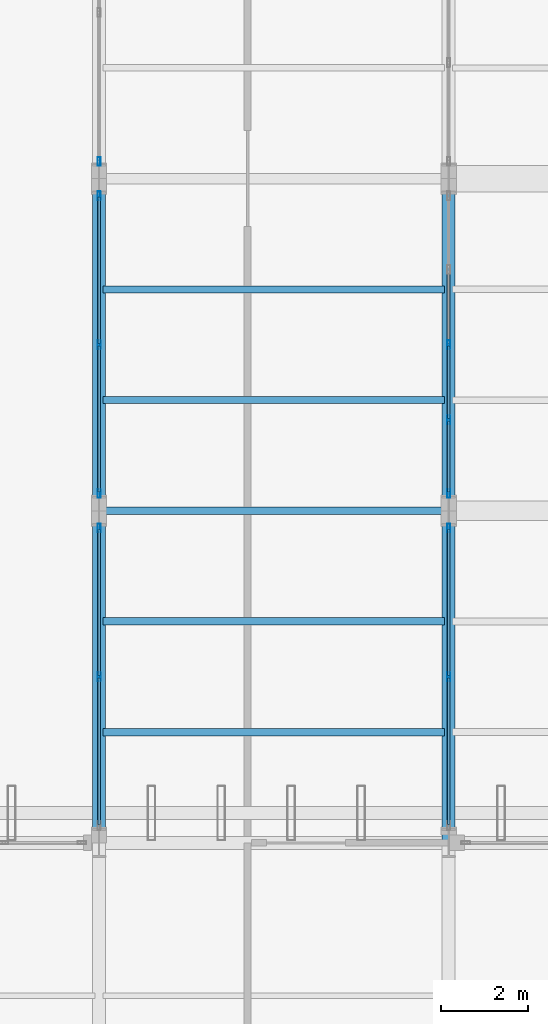
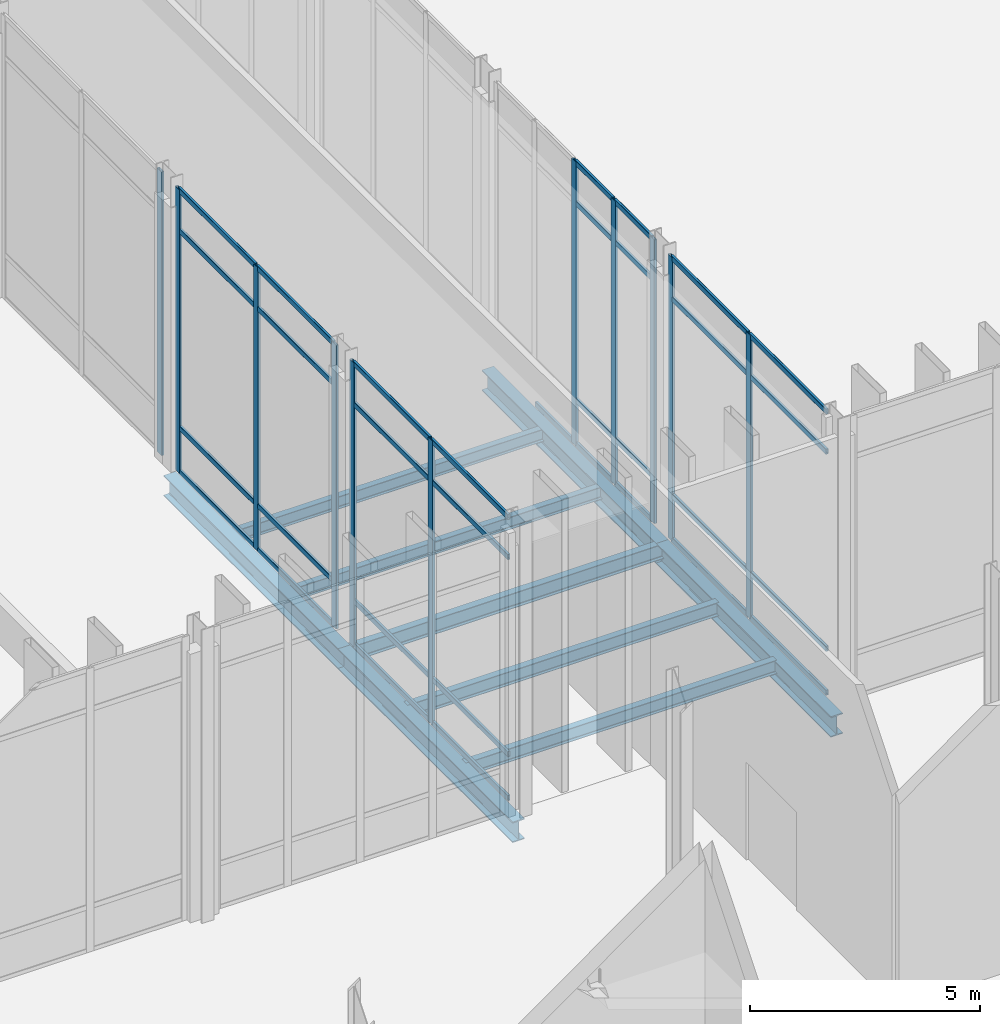
# One storey, part 70 of 176: 44 members, 9 beams, 5 elements without a shape of their own.
"""IFC4 building model written with IfcOpenShell, lengths in metres."""

from ifc_helpers import new_model, si_unit, direction, frame, origin, origin_2d, place, context, subcontext, project, spatial, hollow_rectangle, i_section, extrude, material, layer, layer_set, material_profile, profile_set, type_object, element, aggregate, save


model = new_model("IFC4")

# Units and contexts
model_context = context("Model", 3, precision=1e-05, world=origin(), true_north=direction((0.0, 1.0)))
body_context = subcontext(model_context, "Body", "Model", "MODEL_VIEW")
ifc_project = project(units=[si_unit("LENGTHUNIT", "METRE"), si_unit("AREAUNIT", "SQUARE_METRE"), si_unit("VOLUMEUNIT", "CUBIC_METRE"), si_unit("PLANEANGLEUNIT", "RADIAN"), si_unit("MASSUNIT", "GRAM", prefix="KILO")], contexts=[model_context])

# Site, building, storey
site_placement = place(None, origin())
site = spatial("IfcSite", under=ifc_project, at=site_placement, CompositionType="ELEMENT")
building_placement = place(site_placement, origin())
building = spatial("IfcBuilding", under=site, at=building_placement, Name="Vekula Escarpment Museum", CompositionType="ELEMENT")
storey_placement = place(building_placement, origin())
storey = spatial("IfcBuildingStorey", under=building, at=storey_placement, Name="L01", CompositionType="ELEMENT", Elevation=0.0)

# Beams
ifc_material_1 = material(Name="Steel S355", Category="steel")
ifc_material_profile_1 = material_profile(ifc_material_1, i_section(OverallWidth=0.300048828125, OverallDepth=0.550048828125, WebThickness=0.014892578125, FlangeThickness=0.029052734375, FilletRadius=0.027099609375, at=origin_2d()), Name="HEB 550")
ifc_profile_set_1 = profile_set([ifc_material_profile_1], Name="Steel S355")
beam_type_1 = type_object("IfcBeamType", Name="BM-GIRD-HEB550", PredefinedType="BEAM", material=ifc_profile_set_1)
for number, where, z_axis, x_axis, name in (
    (1, (94.0, 90.39990234375, -0.574951171875), (0.0, 1.0, 0.0), (-1.0, 0.0, 0.0), "Beam Y L01 0588"),
    (2, (94.0, 98.0, -0.574951171875), (0.0, 1.0, 0.0), (-1.0, 0.0, 0.0), "Beam Y L01 0589"),
    (3, (102.0, 90.39990234375, -0.574951171875), (0.0, 1.0, 0.0), (-1.0, 0.0, 0.0), "Beam Y L01 0606"),
    (4, (102.0, 98.0, -0.574951171875), (0.0, 1.0, 0.0), (-1.0, 0.0, 0.0), "Beam Y L01 0607"),
):
    element("IfcBeam", number, at=place(storey_placement, frame(where, z_axis=z_axis, x_axis=x_axis)), inside=storey, type_object=beam_type_1, Name=name, PredefinedType="BEAM", context=body_context, shape_type="SweptSolid", body=[
        extrude(i_section(OverallWidth=0.300048828125, OverallDepth=0.550048828125, WebThickness=0.014892578125, FlangeThickness=0.029052734375, FilletRadius=0.027099609375, at=origin_2d()), origin(), (0.0, 0.0, 1.0), 7.60009765625),
    ])
ifc_material_2 = material(Name="Steel S355", Category="steel")
ifc_material_profile_2 = material_profile(ifc_material_2, i_section(OverallWidth=0.179931640625, OverallDepth=0.39990234375, WebThickness=0.008544921875, FlangeThickness=0.013427734375, FilletRadius=0.02099609375, at=origin_2d()), Name="IPE 400")
ifc_profile_set_2 = profile_set([ifc_material_profile_2], Name="Steel S355")
beam_type_2 = type_object("IfcBeamType", Name="BM-GIRD-IPE400", PredefinedType="BEAM", material=ifc_profile_set_2)
beam_placement = place(storey_placement, frame((94.0, 98.0, -0.5), z_axis=(1.0, 0.0, 0.0), x_axis=(0.0, 1.0, 0.0)))
element("IfcBeam", 5, at=beam_placement, inside=storey, type_object=beam_type_2, Name="Beam X L01 0276", PredefinedType="BEAM", context=body_context, shape_type="SweptSolid", body=[
    extrude(i_section(OverallWidth=0.179931640625, OverallDepth=0.39990234375, WebThickness=0.008544921875, FlangeThickness=0.013427734375, FilletRadius=0.02099609375, at=origin_2d()), origin(), (0.0, 0.0, 1.0), 8.0),
])
ifc_material_3 = material(Name="Steel S355", Category="steel")
ifc_material_profile_3 = material_profile(ifc_material_3, i_section(OverallWidth=0.159912109375, OverallDepth=0.330078125, WebThickness=0.007568359375, FlangeThickness=0.011474609375, FilletRadius=0.01806640625, at=origin_2d()), Name="IPE 330")
ifc_profile_set_3 = profile_set([ifc_material_profile_3], Name="Steel S355")
beam_type_3 = type_object("IfcBeamType", Name="BM-JST-IPE330", PredefinedType="JOIST", material=ifc_profile_set_3)
for number, where, z_axis, x_axis, name in (
    (6, (94.090087890625, 100.533203125, -0.465087890625), (1.0, 0.0, 0.0), (0.0, 1.0, 0.0), "Secondary Joist L01 0310"),
    (7, (94.090087890625, 103.066650390625, -0.465087890625), (1.0, 0.0, 0.0), (0.0, 1.0, 0.0), "Secondary Joist L01 0311"),
):
    element("IfcBeam", number, at=place(storey_placement, frame(where, z_axis=z_axis, x_axis=x_axis)), inside=storey, type_object=beam_type_3, Name=name, PredefinedType="JOIST", context=body_context, shape_type="SweptSolid", body=[
        extrude(i_section(OverallWidth=0.159912109375, OverallDepth=0.330078125, WebThickness=0.007568359375, FlangeThickness=0.011474609375, FilletRadius=0.01806640625, at=origin_2d()), origin(), (0.0, 0.0, 1.0), 7.81982421875),
    ])
ifc_material_4 = material(Name="Steel S355", Category="steel")
ifc_material_profile_4 = material_profile(ifc_material_4, i_section(OverallWidth=0.169921875, OverallDepth=0.360107421875, WebThickness=0.008056640625, FlangeThickness=0.0126953125, FilletRadius=0.01806640625, at=origin_2d()), Name="IPE 360")
ifc_profile_set_4 = profile_set([ifc_material_profile_4], Name="Steel S355")
beam_type_4 = type_object("IfcBeamType", Name="BM-JST-IPE360", PredefinedType="JOIST", material=ifc_profile_set_4)
for number, where, z_axis, x_axis, name in (
    (8, (94.090087890625, 92.933349609375, -0.47998046875), (1.0, 0.0, 0.0), (0.0, 1.0, 0.0), "Secondary Joist L01 0308"),
    (9, (94.090087890625, 95.466796875, -0.47998046875), (1.0, 0.0, 0.0), (0.0, 1.0, 0.0), "Secondary Joist L01 0309"),
):
    element("IfcBeam", number, at=place(storey_placement, frame(where, z_axis=z_axis, x_axis=x_axis)), inside=storey, type_object=beam_type_4, Name=name, PredefinedType="JOIST", context=body_context, shape_type="SweptSolid", body=[
        extrude(i_section(OverallWidth=0.169921875, OverallDepth=0.360107421875, WebThickness=0.008056640625, FlangeThickness=0.0126953125, FilletRadius=0.01806640625, at=origin_2d()), origin(), (0.0, 0.0, 1.0), 7.81982421875),
    ])

# Curtain wall, members
ifc_material_5 = material(Name="Aluminium thermally broken framing", Category="aluminium")
ifc_layer_1 = layer(ifc_material_5, 0.179931640625)
ifc_layer_set_1 = layer_set([ifc_layer_1], Name="Aluminium thermally broken framing")
curtain_wall_type_1 = type_object("IfcCurtainWallType", Name="CW-SYS-08", PredefinedType="NOTDEFINED", material=ifc_layer_set_1)
curtain_wall_1_placement = place(storey_placement, origin())
curtain_wall_1 = element("IfcCurtainWall", 10, at=curtain_wall_1_placement, inside=storey, type_object=curtain_wall_type_1, Name="Curtain Wall CW-L01-028", PredefinedType="NOTDEFINED")
ifc_material_6 = material(Name="Aluminium anodized mullion", Category="aluminium")
ifc_material_profile_5 = material_profile(ifc_material_6, hollow_rectangle(XDim=0.06494140625, YDim=0.199951171875, WallThickness=0.00390625, InnerFilletRadius=0.00390625, OuterFilletRadius=0.008056640625, at=origin_2d()), Name="ALU 200x65x4")
ifc_profile_set_5 = profile_set([ifc_material_profile_5], Name="Aluminium anodized mullion")
member_type_1 = type_object("IfcMemberType", Name="CW-MUL-200", PredefinedType="MULLION", material=ifc_profile_set_5)
member_1_placement = place(storey_placement, frame((102.0, 94.199951171875, 0.0), z_axis=(0.0, 0.0, 1.0), x_axis=(-1.0, 0.0, 0.0)))
member_1 = element("IfcMember", 11, at=member_1_placement, type_object=member_type_1, Name="CW-08 mullion 2", PredefinedType="MULLION", context=body_context, shape_type="SweptSolid", body=[
    extrude(hollow_rectangle(XDim=0.06494140625, YDim=0.199951171875, WallThickness=0.00390625, InnerFilletRadius=0.00390625, OuterFilletRadius=0.008056640625, at=origin_2d()), origin(), (0.0, 0.0, 1.0), 7.5400390625),
])
member_2_placement = place(storey_placement, frame((102.0, 97.607421875, 0.0), z_axis=(0.0, 0.0, 1.0), x_axis=(-1.0, 0.0, 0.0)))
member_2 = element("IfcMember", 12, at=member_2_placement, type_object=member_type_1, Name="CW-08 mullion 3", PredefinedType="MULLION", context=body_context, shape_type="SweptSolid", body=[
    extrude(hollow_rectangle(XDim=0.06494140625, YDim=0.199951171875, WallThickness=0.00390625, InnerFilletRadius=0.00390625, OuterFilletRadius=0.008056640625, at=origin_2d()), origin(), (0.0, 0.0, 1.0), 7.5400390625),
])

ifc_material_7 = material(Name="Aluminium thermally broken framing", Category="aluminium")
ifc_layer_2 = layer(ifc_material_7, 0.14990234375)
ifc_layer_set_2 = layer_set([ifc_layer_2], Name="Aluminium thermally broken framing")
curtain_wall_type_2 = type_object("IfcCurtainWallType", Name="CW-SYS-09", PredefinedType="NOTDEFINED", material=ifc_layer_set_2)
curtain_wall_2_placement = place(storey_placement, origin())
curtain_wall_2 = element("IfcCurtainWall", 13, at=curtain_wall_2_placement, inside=storey, type_object=curtain_wall_type_2, Name="Curtain Wall CW-L01-029", PredefinedType="NOTDEFINED")
member_3_placement = place(storey_placement, frame((102.0, 98.392578125, 0.0), z_axis=(0.0, 0.0, 1.0), x_axis=(-1.0, 0.0, 0.0)))
member_3 = element("IfcMember", 14, at=member_3_placement, type_object=member_type_1, Name="CW-09 mullion 1", PredefinedType="MULLION", context=body_context, shape_type="SweptSolid", body=[
    extrude(hollow_rectangle(XDim=0.06494140625, YDim=0.199951171875, WallThickness=0.00390625, InnerFilletRadius=0.00390625, OuterFilletRadius=0.008056640625, at=origin_2d()), origin(), (0.0, 0.0, 1.0), 7.5400390625),
])
member_4_placement = place(storey_placement, frame((102.0, 100.080078125, 0.0), z_axis=(0.0, 0.0, 1.0), x_axis=(-1.0, 0.0, 0.0)))
member_4 = element("IfcMember", 15, at=member_4_placement, type_object=member_type_1, Name="CW-09 mullion 2", PredefinedType="MULLION", context=body_context, shape_type="SweptSolid", body=[
    extrude(hollow_rectangle(XDim=0.06494140625, YDim=0.199951171875, WallThickness=0.00390625, InnerFilletRadius=0.00390625, OuterFilletRadius=0.008056640625, at=origin_2d()), origin(), (0.0, 0.0, 1.0), 7.5400390625),
])
member_5_placement = place(storey_placement, frame((102.0, 101.800048828125, 0.0), z_axis=(0.0, 0.0, 1.0), x_axis=(-1.0, 0.0, 0.0)))
member_5 = element("IfcMember", 16, at=member_5_placement, type_object=member_type_1, Name="CW-09 mullion 3", PredefinedType="MULLION", context=body_context, shape_type="SweptSolid", body=[
    extrude(hollow_rectangle(XDim=0.06494140625, YDim=0.199951171875, WallThickness=0.00390625, InnerFilletRadius=0.00390625, OuterFilletRadius=0.008056640625, at=origin_2d()), origin(), (0.0, 0.0, 1.0), 7.5400390625),
])

# Curtain wall, member
ifc_material_8 = material(Name="Aluminium thermally broken framing", Category="aluminium")
ifc_layer_3 = layer(ifc_material_8, 0.139892578125)
ifc_layer_set_3 = layer_set([ifc_layer_3], Name="Aluminium thermally broken framing")
curtain_wall_type_3 = type_object("IfcCurtainWallType", Name="CW-SYS-06", PredefinedType="NOTDEFINED", material=ifc_layer_set_3)
curtain_wall_3_placement = place(storey_placement, origin())
curtain_wall_3 = element("IfcCurtainWall", 17, at=curtain_wall_3_placement, inside=storey, type_object=curtain_wall_type_3, Name="Curtain Wall CW-L01-036", PredefinedType="NOTDEFINED")
member_6_placement = place(storey_placement, frame((94.0, 105.992431640625, 0.0), z_axis=(0.0, 0.0, 1.0), x_axis=(1.0, 0.0, 0.0)))
member_6 = element("IfcMember", 18, at=member_6_placement, type_object=member_type_1, Name="CW-06 mullion 3", PredefinedType="MULLION", context=body_context, shape_type="SweptSolid", body=[
    extrude(hollow_rectangle(XDim=0.06494140625, YDim=0.199951171875, WallThickness=0.00390625, InnerFilletRadius=0.00390625, OuterFilletRadius=0.008056640625, at=origin_2d()), origin(), (0.0, 0.0, 1.0), 7.5400390625),
])
aggregate(curtain_wall_3, [member_6])

# Curtain wall, members
ifc_material_9 = material(Name="Aluminium thermally broken framing", Category="aluminium")
ifc_layer_4 = layer(ifc_material_9, 0.179931640625)
ifc_layer_set_4 = layer_set([ifc_layer_4], Name="Aluminium thermally broken framing")
curtain_wall_type_4 = type_object("IfcCurtainWallType", Name="CW-SYS-07", PredefinedType="NOTDEFINED", material=ifc_layer_set_4)
curtain_wall_4_placement = place(storey_placement, origin())
curtain_wall_4 = element("IfcCurtainWall", 19, at=curtain_wall_4_placement, inside=storey, type_object=curtain_wall_type_4, Name="Curtain Wall CW-L01-037", PredefinedType="NOTDEFINED")
member_7_placement = place(storey_placement, frame((94.0, 105.20751953125, 0.0), z_axis=(0.0, 0.0, 1.0), x_axis=(1.0, 0.0, 0.0)))
member_7 = element("IfcMember", 20, at=member_7_placement, type_object=member_type_1, Name="CW-07 mullion 1", PredefinedType="MULLION", context=body_context, shape_type="SweptSolid", body=[
    extrude(hollow_rectangle(XDim=0.06494140625, YDim=0.199951171875, WallThickness=0.00390625, InnerFilletRadius=0.00390625, OuterFilletRadius=0.008056640625, at=origin_2d()), origin(), (0.0, 0.0, 1.0), 7.5400390625),
])
member_8_placement = place(storey_placement, frame((94.0, 101.800048828125, 0.0), z_axis=(0.0, 0.0, 1.0), x_axis=(1.0, 0.0, 0.0)))
member_8 = element("IfcMember", 21, at=member_8_placement, type_object=member_type_1, Name="CW-07 mullion 2", PredefinedType="MULLION", context=body_context, shape_type="SweptSolid", body=[
    extrude(hollow_rectangle(XDim=0.06494140625, YDim=0.199951171875, WallThickness=0.00390625, InnerFilletRadius=0.00390625, OuterFilletRadius=0.008056640625, at=origin_2d()), origin(), (0.0, 0.0, 1.0), 7.5400390625),
])
member_9_placement = place(storey_placement, frame((94.0, 98.392578125, 0.0), z_axis=(0.0, 0.0, 1.0), x_axis=(1.0, 0.0, 0.0)))
member_9 = element("IfcMember", 22, at=member_9_placement, type_object=member_type_1, Name="CW-07 mullion 3", PredefinedType="MULLION", context=body_context, shape_type="SweptSolid", body=[
    extrude(hollow_rectangle(XDim=0.06494140625, YDim=0.199951171875, WallThickness=0.00390625, InnerFilletRadius=0.00390625, OuterFilletRadius=0.008056640625, at=origin_2d()), origin(), (0.0, 0.0, 1.0), 7.5400390625),
])

curtain_wall_5_placement = place(storey_placement, origin())
curtain_wall_5 = element("IfcCurtainWall", 23, at=curtain_wall_5_placement, inside=storey, type_object=curtain_wall_type_1, Name="Curtain Wall CW-L01-038", PredefinedType="NOTDEFINED")
member_10_placement = place(storey_placement, frame((94.0, 97.607421875, 0.0), z_axis=(0.0, 0.0, 1.0), x_axis=(1.0, 0.0, 0.0)))
member_10 = element("IfcMember", 24, at=member_10_placement, type_object=member_type_1, Name="CW-08 mullion 1", PredefinedType="MULLION", context=body_context, shape_type="SweptSolid", body=[
    extrude(hollow_rectangle(XDim=0.06494140625, YDim=0.199951171875, WallThickness=0.00390625, InnerFilletRadius=0.00390625, OuterFilletRadius=0.008056640625, at=origin_2d()), origin(), (0.0, 0.0, 1.0), 7.5400390625),
])
member_11_placement = place(storey_placement, frame((94.0, 94.199951171875, 0.0), z_axis=(0.0, 0.0, 1.0), x_axis=(1.0, 0.0, 0.0)))
member_11 = element("IfcMember", 25, at=member_11_placement, type_object=member_type_1, Name="CW-08 mullion 2", PredefinedType="MULLION", context=body_context, shape_type="SweptSolid", body=[
    extrude(hollow_rectangle(XDim=0.06494140625, YDim=0.199951171875, WallThickness=0.00390625, InnerFilletRadius=0.00390625, OuterFilletRadius=0.008056640625, at=origin_2d()), origin(), (0.0, 0.0, 1.0), 7.5400390625),
])

# Member
ifc_material_10 = material(Name="Aluminium anodized transom", Category="aluminium")
ifc_material_profile_6 = material_profile(ifc_material_10, hollow_rectangle(XDim=0.06494140625, YDim=0.139892578125, WallThickness=0.00390625, InnerFilletRadius=0.00390625, OuterFilletRadius=0.008056640625, at=origin_2d()), Name="ALU 140x65x4")
ifc_profile_set_6 = profile_set([ifc_material_profile_6], Name="Aluminium anodized transom")
member_type_2 = type_object("IfcMemberType", Name="CW-TRN-140", PredefinedType="USERDEFINED", material=ifc_profile_set_6)
member_12_placement = place(storey_placement, frame((102.0, 90.824951171875, 0.032470703125), z_axis=(0.0, 1.0, 0.0), x_axis=(-1.0, 0.0, 0.0)))
member_12 = element("IfcMember", 26, at=member_12_placement, type_object=member_type_2, Name="CW-08 transom 1.1", ObjectType="TRANSOM", PredefinedType="USERDEFINED", context=body_context, shape_type="SweptSolid", body=[
    extrude(hollow_rectangle(XDim=0.06494140625, YDim=0.139892578125, WallThickness=0.00390625, InnerFilletRadius=0.00390625, OuterFilletRadius=0.008056640625, at=origin_2d()), origin(), (0.0, 0.0, 1.0), 3.342529296875),
])

member_13_placement = place(storey_placement, frame((102.0, 90.824951171875, 1.199951171875), z_axis=(0.0, 1.0, 0.0), x_axis=(-1.0, 0.0, 0.0)))
member_13 = element("IfcMember", 27, at=member_13_placement, type_object=member_type_2, Name="CW-08 transom 1.2", ObjectType="TRANSOM", PredefinedType="USERDEFINED", context=body_context, shape_type="SweptSolid", body=[
    extrude(hollow_rectangle(XDim=0.06494140625, YDim=0.139892578125, WallThickness=0.00390625, InnerFilletRadius=0.00390625, OuterFilletRadius=0.008056640625, at=origin_2d()), origin(), (0.0, 0.0, 1.0), 3.342529296875),
])

member_14_placement = place(storey_placement, frame((102.0, 90.824951171875, 6.43994140625), z_axis=(0.0, 1.0, 0.0), x_axis=(-1.0, 0.0, 0.0)))
member_14 = element("IfcMember", 28, at=member_14_placement, type_object=member_type_2, Name="CW-08 transom 1.3", ObjectType="TRANSOM", PredefinedType="USERDEFINED", context=body_context, shape_type="SweptSolid", body=[
    extrude(hollow_rectangle(XDim=0.06494140625, YDim=0.139892578125, WallThickness=0.00390625, InnerFilletRadius=0.00390625, OuterFilletRadius=0.008056640625, at=origin_2d()), origin(), (0.0, 0.0, 1.0), 3.342529296875),
])

member_15_placement = place(storey_placement, frame((102.0, 90.824951171875, 7.507568359375), z_axis=(0.0, 1.0, 0.0), x_axis=(-1.0, 0.0, 0.0)))
member_15 = element("IfcMember", 29, at=member_15_placement, type_object=member_type_2, Name="CW-08 transom 1.4", ObjectType="TRANSOM", PredefinedType="USERDEFINED", context=body_context, shape_type="SweptSolid", body=[
    extrude(hollow_rectangle(XDim=0.06494140625, YDim=0.139892578125, WallThickness=0.00390625, InnerFilletRadius=0.00390625, OuterFilletRadius=0.008056640625, at=origin_2d()), origin(), (0.0, 0.0, 1.0), 3.342529296875),
])

member_16_placement = place(storey_placement, frame((102.0, 94.232421875, 0.032470703125), z_axis=(0.0, 1.0, 0.0), x_axis=(-1.0, 0.0, 0.0)))
member_16 = element("IfcMember", 30, at=member_16_placement, type_object=member_type_2, Name="CW-08 transom 2.1", ObjectType="TRANSOM", PredefinedType="USERDEFINED", context=body_context, shape_type="SweptSolid", body=[
    extrude(hollow_rectangle(XDim=0.06494140625, YDim=0.139892578125, WallThickness=0.00390625, InnerFilletRadius=0.00390625, OuterFilletRadius=0.008056640625, at=origin_2d()), origin(), (0.0, 0.0, 1.0), 3.342529296875),
])

member_17_placement = place(storey_placement, frame((102.0, 94.232421875, 1.199951171875), z_axis=(0.0, 1.0, 0.0), x_axis=(-1.0, 0.0, 0.0)))
member_17 = element("IfcMember", 31, at=member_17_placement, type_object=member_type_2, Name="CW-08 transom 2.2", ObjectType="TRANSOM", PredefinedType="USERDEFINED", context=body_context, shape_type="SweptSolid", body=[
    extrude(hollow_rectangle(XDim=0.06494140625, YDim=0.139892578125, WallThickness=0.00390625, InnerFilletRadius=0.00390625, OuterFilletRadius=0.008056640625, at=origin_2d()), origin(), (0.0, 0.0, 1.0), 3.342529296875),
])

member_18_placement = place(storey_placement, frame((102.0, 94.232421875, 6.43994140625), z_axis=(0.0, 1.0, 0.0), x_axis=(-1.0, 0.0, 0.0)))
member_18 = element("IfcMember", 32, at=member_18_placement, type_object=member_type_2, Name="CW-08 transom 2.3", ObjectType="TRANSOM", PredefinedType="USERDEFINED", context=body_context, shape_type="SweptSolid", body=[
    extrude(hollow_rectangle(XDim=0.06494140625, YDim=0.139892578125, WallThickness=0.00390625, InnerFilletRadius=0.00390625, OuterFilletRadius=0.008056640625, at=origin_2d()), origin(), (0.0, 0.0, 1.0), 3.342529296875),
])

member_19_placement = place(storey_placement, frame((102.0, 94.232421875, 7.507568359375), z_axis=(0.0, 1.0, 0.0), x_axis=(-1.0, 0.0, 0.0)))
member_19 = element("IfcMember", 33, at=member_19_placement, type_object=member_type_2, Name="CW-08 transom 2.4", ObjectType="TRANSOM", PredefinedType="USERDEFINED", context=body_context, shape_type="SweptSolid", body=[
    extrude(hollow_rectangle(XDim=0.06494140625, YDim=0.139892578125, WallThickness=0.00390625, InnerFilletRadius=0.00390625, OuterFilletRadius=0.008056640625, at=origin_2d()), origin(), (0.0, 0.0, 1.0), 3.342529296875),
])

aggregate(curtain_wall_1, [member_1, member_2, member_12, member_13, member_14, member_15, member_16, member_17, member_18, member_19])

member_20_placement = place(storey_placement, frame((102.0, 98.425048828125, 0.032470703125), z_axis=(0.0, 1.0, 0.0), x_axis=(-1.0, 0.0, 0.0)))
member_20 = element("IfcMember", 34, at=member_20_placement, type_object=member_type_2, Name="CW-09 transom 1.1", ObjectType="TRANSOM", PredefinedType="USERDEFINED", context=body_context, shape_type="SweptSolid", body=[
    extrude(hollow_rectangle(XDim=0.06494140625, YDim=0.139892578125, WallThickness=0.00390625, InnerFilletRadius=0.00390625, OuterFilletRadius=0.008056640625, at=origin_2d()), origin(), (0.0, 0.0, 1.0), 1.62255859375),
])

member_21_placement = place(storey_placement, frame((102.0, 98.425048828125, 1.199951171875), z_axis=(0.0, 1.0, 0.0), x_axis=(-1.0, 0.0, 0.0)))
member_21 = element("IfcMember", 35, at=member_21_placement, type_object=member_type_2, Name="CW-09 transom 1.2", ObjectType="TRANSOM", PredefinedType="USERDEFINED", context=body_context, shape_type="SweptSolid", body=[
    extrude(hollow_rectangle(XDim=0.06494140625, YDim=0.139892578125, WallThickness=0.00390625, InnerFilletRadius=0.00390625, OuterFilletRadius=0.008056640625, at=origin_2d()), origin(), (0.0, 0.0, 1.0), 1.62255859375),
])

member_22_placement = place(storey_placement, frame((102.0, 98.425048828125, 6.43994140625), z_axis=(0.0, 1.0, 0.0), x_axis=(-1.0, 0.0, 0.0)))
member_22 = element("IfcMember", 36, at=member_22_placement, type_object=member_type_2, Name="CW-09 transom 1.3", ObjectType="TRANSOM", PredefinedType="USERDEFINED", context=body_context, shape_type="SweptSolid", body=[
    extrude(hollow_rectangle(XDim=0.06494140625, YDim=0.139892578125, WallThickness=0.00390625, InnerFilletRadius=0.00390625, OuterFilletRadius=0.008056640625, at=origin_2d()), origin(), (0.0, 0.0, 1.0), 1.62255859375),
])

member_23_placement = place(storey_placement, frame((102.0, 98.425048828125, 7.507568359375), z_axis=(0.0, 1.0, 0.0), x_axis=(-1.0, 0.0, 0.0)))
member_23 = element("IfcMember", 37, at=member_23_placement, type_object=member_type_2, Name="CW-09 transom 1.4", ObjectType="TRANSOM", PredefinedType="USERDEFINED", context=body_context, shape_type="SweptSolid", body=[
    extrude(hollow_rectangle(XDim=0.06494140625, YDim=0.139892578125, WallThickness=0.00390625, InnerFilletRadius=0.00390625, OuterFilletRadius=0.008056640625, at=origin_2d()), origin(), (0.0, 0.0, 1.0), 1.62255859375),
])

member_24_placement = place(storey_placement, frame((102.0, 100.112548828125, 0.032470703125), z_axis=(0.0, 1.0, 0.0), x_axis=(-1.0, 0.0, 0.0)))
member_24 = element("IfcMember", 38, at=member_24_placement, type_object=member_type_2, Name="CW-09 transom 2.1", ObjectType="TRANSOM", PredefinedType="USERDEFINED", context=body_context, shape_type="SweptSolid", body=[
    extrude(hollow_rectangle(XDim=0.06494140625, YDim=0.139892578125, WallThickness=0.00390625, InnerFilletRadius=0.00390625, OuterFilletRadius=0.008056640625, at=origin_2d()), origin(), (0.0, 0.0, 1.0), 1.655029296875),
])

member_25_placement = place(storey_placement, frame((102.0, 100.112548828125, 1.199951171875), z_axis=(0.0, 1.0, 0.0), x_axis=(-1.0, 0.0, 0.0)))
member_25 = element("IfcMember", 39, at=member_25_placement, type_object=member_type_2, Name="CW-09 transom 2.2", ObjectType="TRANSOM", PredefinedType="USERDEFINED", context=body_context, shape_type="SweptSolid", body=[
    extrude(hollow_rectangle(XDim=0.06494140625, YDim=0.139892578125, WallThickness=0.00390625, InnerFilletRadius=0.00390625, OuterFilletRadius=0.008056640625, at=origin_2d()), origin(), (0.0, 0.0, 1.0), 1.655029296875),
])

member_26_placement = place(storey_placement, frame((102.0, 100.112548828125, 6.43994140625), z_axis=(0.0, 1.0, 0.0), x_axis=(-1.0, 0.0, 0.0)))
member_26 = element("IfcMember", 40, at=member_26_placement, type_object=member_type_2, Name="CW-09 transom 2.3", ObjectType="TRANSOM", PredefinedType="USERDEFINED", context=body_context, shape_type="SweptSolid", body=[
    extrude(hollow_rectangle(XDim=0.06494140625, YDim=0.139892578125, WallThickness=0.00390625, InnerFilletRadius=0.00390625, OuterFilletRadius=0.008056640625, at=origin_2d()), origin(), (0.0, 0.0, 1.0), 1.655029296875),
])

member_27_placement = place(storey_placement, frame((102.0, 100.112548828125, 7.507568359375), z_axis=(0.0, 1.0, 0.0), x_axis=(-1.0, 0.0, 0.0)))
member_27 = element("IfcMember", 41, at=member_27_placement, type_object=member_type_2, Name="CW-09 transom 2.4", ObjectType="TRANSOM", PredefinedType="USERDEFINED", context=body_context, shape_type="SweptSolid", body=[
    extrude(hollow_rectangle(XDim=0.06494140625, YDim=0.139892578125, WallThickness=0.00390625, InnerFilletRadius=0.00390625, OuterFilletRadius=0.008056640625, at=origin_2d()), origin(), (0.0, 0.0, 1.0), 1.655029296875),
])

member_28_placement = place(storey_placement, frame((102.0, 101.83251953125, 0.032470703125), z_axis=(0.0, 1.0, 0.0), x_axis=(-1.0, 0.0, 0.0)))
member_28 = element("IfcMember", 42, at=member_28_placement, type_object=member_type_2, Name="CW-09 transom 3.1", ObjectType="TRANSOM", PredefinedType="USERDEFINED", context=body_context, shape_type="SweptSolid", body=[
    extrude(hollow_rectangle(XDim=0.06494140625, YDim=0.139892578125, WallThickness=0.00390625, InnerFilletRadius=0.00390625, OuterFilletRadius=0.008056640625, at=origin_2d()), origin(), (0.0, 0.0, 1.0), 1.655029296875),
])

aggregate(curtain_wall_2, [member_3, member_4, member_5, member_20, member_21, member_22, member_23, member_24, member_25, member_26, member_27, member_28])

member_29_placement = place(storey_placement, frame((94.0, 105.175048828125, 0.032470703125), z_axis=(0.0, -1.0, 0.0), x_axis=(1.0, 0.0, 0.0)))
member_29 = element("IfcMember", 43, at=member_29_placement, type_object=member_type_2, Name="CW-07 transom 1.1", ObjectType="TRANSOM", PredefinedType="USERDEFINED", context=body_context, shape_type="SweptSolid", body=[
    extrude(hollow_rectangle(XDim=0.06494140625, YDim=0.139892578125, WallThickness=0.00390625, InnerFilletRadius=0.00390625, OuterFilletRadius=0.008056640625, at=origin_2d()), origin(), (0.0, 0.0, 1.0), 3.342529296875),
])

member_30_placement = place(storey_placement, frame((94.0, 105.175048828125, 1.199951171875), z_axis=(0.0, -1.0, 0.0), x_axis=(1.0, 0.0, 0.0)))
member_30 = element("IfcMember", 44, at=member_30_placement, type_object=member_type_2, Name="CW-07 transom 1.2", ObjectType="TRANSOM", PredefinedType="USERDEFINED", context=body_context, shape_type="SweptSolid", body=[
    extrude(hollow_rectangle(XDim=0.06494140625, YDim=0.139892578125, WallThickness=0.00390625, InnerFilletRadius=0.00390625, OuterFilletRadius=0.008056640625, at=origin_2d()), origin(), (0.0, 0.0, 1.0), 3.342529296875),
])

member_31_placement = place(storey_placement, frame((94.0, 105.175048828125, 6.43994140625), z_axis=(0.0, -1.0, 0.0), x_axis=(1.0, 0.0, 0.0)))
member_31 = element("IfcMember", 45, at=member_31_placement, type_object=member_type_2, Name="CW-07 transom 1.3", ObjectType="TRANSOM", PredefinedType="USERDEFINED", context=body_context, shape_type="SweptSolid", body=[
    extrude(hollow_rectangle(XDim=0.06494140625, YDim=0.139892578125, WallThickness=0.00390625, InnerFilletRadius=0.00390625, OuterFilletRadius=0.008056640625, at=origin_2d()), origin(), (0.0, 0.0, 1.0), 3.342529296875),
])

member_32_placement = place(storey_placement, frame((94.0, 105.175048828125, 7.507568359375), z_axis=(0.0, -1.0, 0.0), x_axis=(1.0, 0.0, 0.0)))
member_32 = element("IfcMember", 46, at=member_32_placement, type_object=member_type_2, Name="CW-07 transom 1.4", ObjectType="TRANSOM", PredefinedType="USERDEFINED", context=body_context, shape_type="SweptSolid", body=[
    extrude(hollow_rectangle(XDim=0.06494140625, YDim=0.139892578125, WallThickness=0.00390625, InnerFilletRadius=0.00390625, OuterFilletRadius=0.008056640625, at=origin_2d()), origin(), (0.0, 0.0, 1.0), 3.342529296875),
])

member_33_placement = place(storey_placement, frame((94.0, 101.767578125, 0.032470703125), z_axis=(0.0, -1.0, 0.0), x_axis=(1.0, 0.0, 0.0)))
member_33 = element("IfcMember", 47, at=member_33_placement, type_object=member_type_2, Name="CW-07 transom 2.1", ObjectType="TRANSOM", PredefinedType="USERDEFINED", context=body_context, shape_type="SweptSolid", body=[
    extrude(hollow_rectangle(XDim=0.06494140625, YDim=0.139892578125, WallThickness=0.00390625, InnerFilletRadius=0.00390625, OuterFilletRadius=0.008056640625, at=origin_2d()), origin(), (0.0, 0.0, 1.0), 3.342529296875),
])

member_34_placement = place(storey_placement, frame((94.0, 101.767578125, 1.199951171875), z_axis=(0.0, -1.0, 0.0), x_axis=(1.0, 0.0, 0.0)))
member_34 = element("IfcMember", 48, at=member_34_placement, type_object=member_type_2, Name="CW-07 transom 2.2", ObjectType="TRANSOM", PredefinedType="USERDEFINED", context=body_context, shape_type="SweptSolid", body=[
    extrude(hollow_rectangle(XDim=0.06494140625, YDim=0.139892578125, WallThickness=0.00390625, InnerFilletRadius=0.00390625, OuterFilletRadius=0.008056640625, at=origin_2d()), origin(), (0.0, 0.0, 1.0), 3.342529296875),
])

member_35_placement = place(storey_placement, frame((94.0, 101.767578125, 6.43994140625), z_axis=(0.0, -1.0, 0.0), x_axis=(1.0, 0.0, 0.0)))
member_35 = element("IfcMember", 49, at=member_35_placement, type_object=member_type_2, Name="CW-07 transom 2.3", ObjectType="TRANSOM", PredefinedType="USERDEFINED", context=body_context, shape_type="SweptSolid", body=[
    extrude(hollow_rectangle(XDim=0.06494140625, YDim=0.139892578125, WallThickness=0.00390625, InnerFilletRadius=0.00390625, OuterFilletRadius=0.008056640625, at=origin_2d()), origin(), (0.0, 0.0, 1.0), 3.342529296875),
])

member_36_placement = place(storey_placement, frame((94.0, 101.767578125, 7.507568359375), z_axis=(0.0, -1.0, 0.0), x_axis=(1.0, 0.0, 0.0)))
member_36 = element("IfcMember", 50, at=member_36_placement, type_object=member_type_2, Name="CW-07 transom 2.4", ObjectType="TRANSOM", PredefinedType="USERDEFINED", context=body_context, shape_type="SweptSolid", body=[
    extrude(hollow_rectangle(XDim=0.06494140625, YDim=0.139892578125, WallThickness=0.00390625, InnerFilletRadius=0.00390625, OuterFilletRadius=0.008056640625, at=origin_2d()), origin(), (0.0, 0.0, 1.0), 3.342529296875),
])

aggregate(curtain_wall_4, [member_7, member_8, member_9, member_29, member_30, member_31, member_32, member_33, member_34, member_35, member_36])

member_37_placement = place(storey_placement, frame((94.0, 97.574951171875, 0.032470703125), z_axis=(0.0, -1.0, 0.0), x_axis=(1.0, 0.0, 0.0)))
member_37 = element("IfcMember", 51, at=member_37_placement, type_object=member_type_2, Name="CW-08 transom 1.1", ObjectType="TRANSOM", PredefinedType="USERDEFINED", context=body_context, shape_type="SweptSolid", body=[
    extrude(hollow_rectangle(XDim=0.06494140625, YDim=0.139892578125, WallThickness=0.00390625, InnerFilletRadius=0.00390625, OuterFilletRadius=0.008056640625, at=origin_2d()), origin(), (0.0, 0.0, 1.0), 3.342529296875),
])

member_38_placement = place(storey_placement, frame((94.0, 97.574951171875, 1.199951171875), z_axis=(0.0, -1.0, 0.0), x_axis=(1.0, 0.0, 0.0)))
member_38 = element("IfcMember", 52, at=member_38_placement, type_object=member_type_2, Name="CW-08 transom 1.2", ObjectType="TRANSOM", PredefinedType="USERDEFINED", context=body_context, shape_type="SweptSolid", body=[
    extrude(hollow_rectangle(XDim=0.06494140625, YDim=0.139892578125, WallThickness=0.00390625, InnerFilletRadius=0.00390625, OuterFilletRadius=0.008056640625, at=origin_2d()), origin(), (0.0, 0.0, 1.0), 3.342529296875),
])

member_39_placement = place(storey_placement, frame((94.0, 97.574951171875, 6.43994140625), z_axis=(0.0, -1.0, 0.0), x_axis=(1.0, 0.0, 0.0)))
member_39 = element("IfcMember", 53, at=member_39_placement, type_object=member_type_2, Name="CW-08 transom 1.3", ObjectType="TRANSOM", PredefinedType="USERDEFINED", context=body_context, shape_type="SweptSolid", body=[
    extrude(hollow_rectangle(XDim=0.06494140625, YDim=0.139892578125, WallThickness=0.00390625, InnerFilletRadius=0.00390625, OuterFilletRadius=0.008056640625, at=origin_2d()), origin(), (0.0, 0.0, 1.0), 3.342529296875),
])

member_40_placement = place(storey_placement, frame((94.0, 97.574951171875, 7.507568359375), z_axis=(0.0, -1.0, 0.0), x_axis=(1.0, 0.0, 0.0)))
member_40 = element("IfcMember", 54, at=member_40_placement, type_object=member_type_2, Name="CW-08 transom 1.4", ObjectType="TRANSOM", PredefinedType="USERDEFINED", context=body_context, shape_type="SweptSolid", body=[
    extrude(hollow_rectangle(XDim=0.06494140625, YDim=0.139892578125, WallThickness=0.00390625, InnerFilletRadius=0.00390625, OuterFilletRadius=0.008056640625, at=origin_2d()), origin(), (0.0, 0.0, 1.0), 3.342529296875),
])

member_41_placement = place(storey_placement, frame((94.0, 94.16748046875, 0.032470703125), z_axis=(0.0, -1.0, 0.0), x_axis=(1.0, 0.0, 0.0)))
member_41 = element("IfcMember", 55, at=member_41_placement, type_object=member_type_2, Name="CW-08 transom 2.1", ObjectType="TRANSOM", PredefinedType="USERDEFINED", context=body_context, shape_type="SweptSolid", body=[
    extrude(hollow_rectangle(XDim=0.06494140625, YDim=0.139892578125, WallThickness=0.00390625, InnerFilletRadius=0.00390625, OuterFilletRadius=0.008056640625, at=origin_2d()), origin(), (0.0, 0.0, 1.0), 3.342529296875),
])

member_42_placement = place(storey_placement, frame((94.0, 94.16748046875, 1.199951171875), z_axis=(0.0, -1.0, 0.0), x_axis=(1.0, 0.0, 0.0)))
member_42 = element("IfcMember", 56, at=member_42_placement, type_object=member_type_2, Name="CW-08 transom 2.2", ObjectType="TRANSOM", PredefinedType="USERDEFINED", context=body_context, shape_type="SweptSolid", body=[
    extrude(hollow_rectangle(XDim=0.06494140625, YDim=0.139892578125, WallThickness=0.00390625, InnerFilletRadius=0.00390625, OuterFilletRadius=0.008056640625, at=origin_2d()), origin(), (0.0, 0.0, 1.0), 3.342529296875),
])

member_43_placement = place(storey_placement, frame((94.0, 94.16748046875, 6.43994140625), z_axis=(0.0, -1.0, 0.0), x_axis=(1.0, 0.0, 0.0)))
member_43 = element("IfcMember", 57, at=member_43_placement, type_object=member_type_2, Name="CW-08 transom 2.3", ObjectType="TRANSOM", PredefinedType="USERDEFINED", context=body_context, shape_type="SweptSolid", body=[
    extrude(hollow_rectangle(XDim=0.06494140625, YDim=0.139892578125, WallThickness=0.00390625, InnerFilletRadius=0.00390625, OuterFilletRadius=0.008056640625, at=origin_2d()), origin(), (0.0, 0.0, 1.0), 3.342529296875),
])

member_44_placement = place(storey_placement, frame((94.0, 94.16748046875, 7.507568359375), z_axis=(0.0, -1.0, 0.0), x_axis=(1.0, 0.0, 0.0)))
member_44 = element("IfcMember", 58, at=member_44_placement, type_object=member_type_2, Name="CW-08 transom 2.4", ObjectType="TRANSOM", PredefinedType="USERDEFINED", context=body_context, shape_type="SweptSolid", body=[
    extrude(hollow_rectangle(XDim=0.06494140625, YDim=0.139892578125, WallThickness=0.00390625, InnerFilletRadius=0.00390625, OuterFilletRadius=0.008056640625, at=origin_2d()), origin(), (0.0, 0.0, 1.0), 3.342529296875),
])

aggregate(curtain_wall_5, [member_10, member_11, member_37, member_38, member_39, member_40, member_41, member_42, member_43, member_44])

save(model, "model.ifc")
